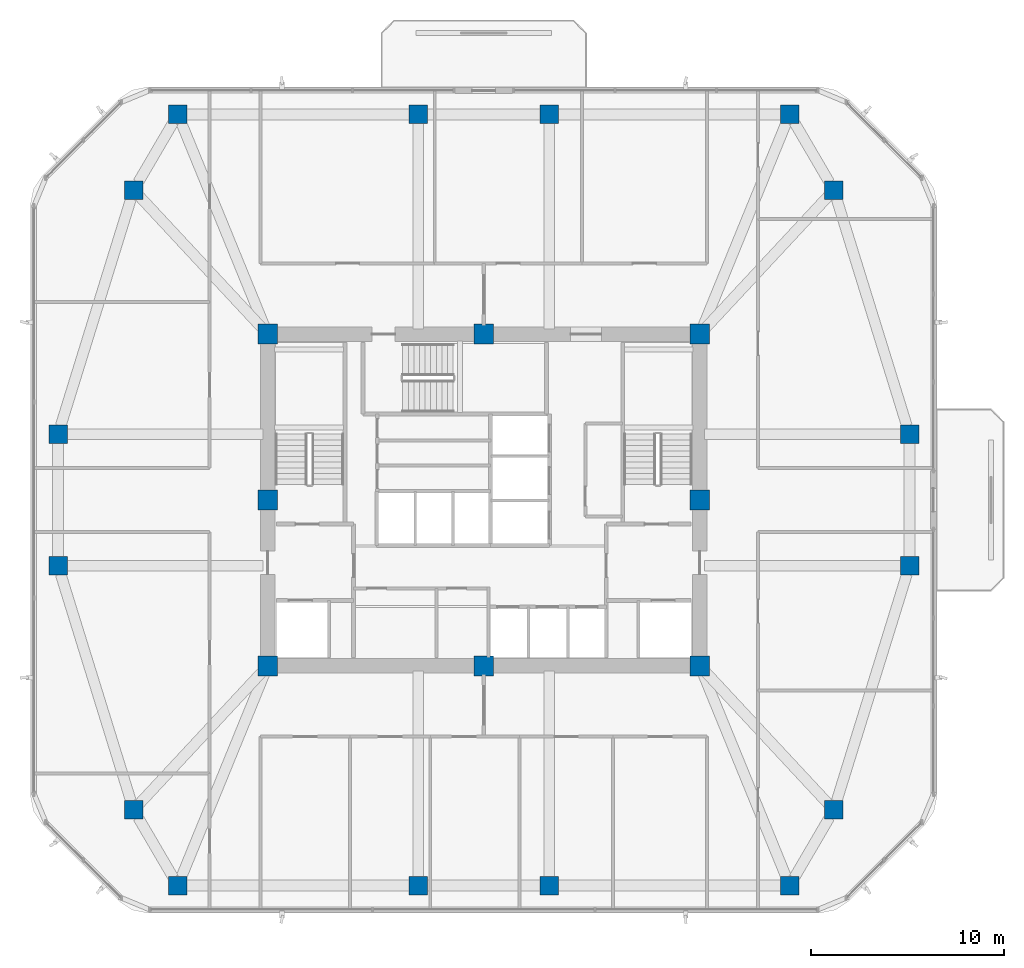
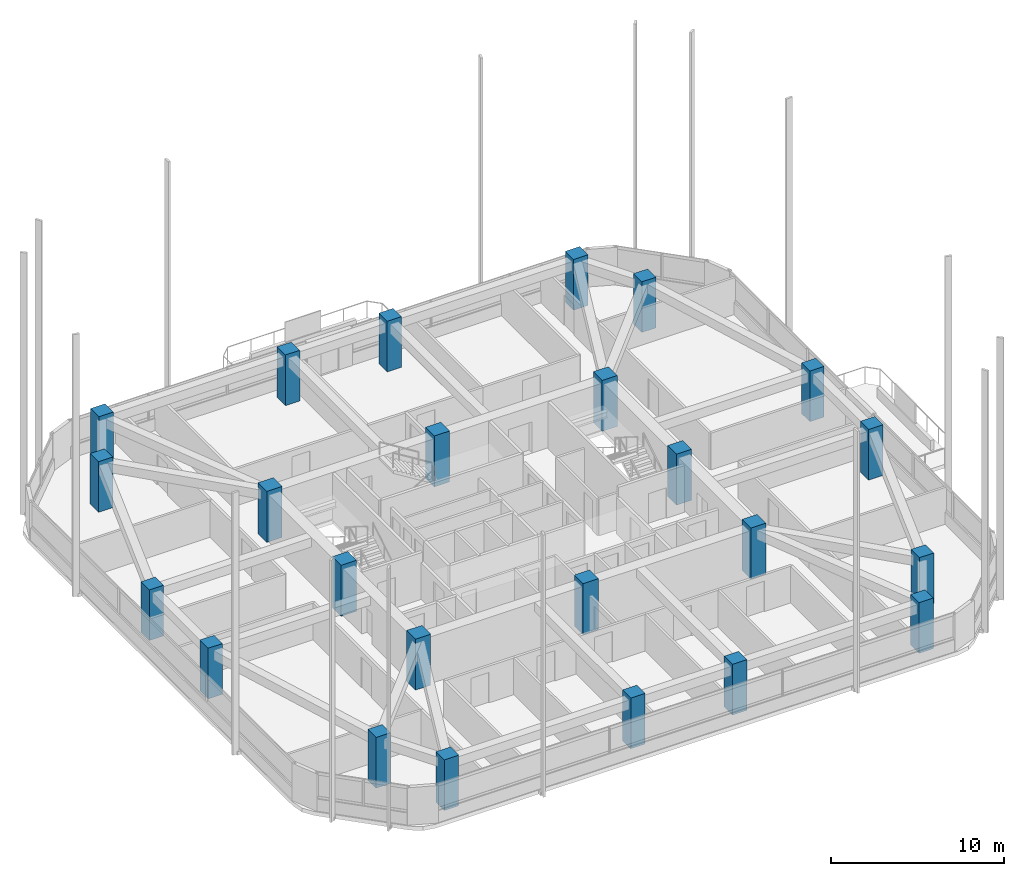
# One storey, part 1 of 14: 24 columns.
"""IFC4 building model written with IfcOpenShell, lengths in metres."""

from ifc_helpers import new_model, si_unit, derived_unit, direction, frame, origin, origin_2d, place, context, subcontext, project, spatial, rectangle, extrude, material, material_profile, profile_set, type_object, element, save


model = new_model("IFC4")

# Units and contexts
model_context = context("Model", 3, precision=1e-05, world=origin(), true_north=direction((0.0, 1.0)))
body_context = subcontext(model_context, "Body", "Model", "MODEL_VIEW")
ifc_project = project(units=[si_unit("LENGTHUNIT", "METRE"), si_unit("AREAUNIT", "SQUARE_METRE"), si_unit("VOLUMEUNIT", "CUBIC_METRE"), si_unit("PLANEANGLEUNIT", "RADIAN"), si_unit("MASSUNIT", "GRAM", prefix="KILO"), derived_unit("THERMALTRANSMITTANCEUNIT", [(si_unit("POWERUNIT", "WATT"), 1), (si_unit("LENGTHUNIT", "METRE"), -2), (si_unit("THERMODYNAMICTEMPERATUREUNIT", "KELVIN"), -1)])], contexts=[model_context])

# Site, building, storey
site_placement = place(None, origin())
site = spatial("IfcSite", under=ifc_project, at=site_placement, CompositionType="ELEMENT")
building_placement = place(site_placement, origin())
building = spatial("IfcBuilding", under=site, at=building_placement, Name="Koralith Skygarden Medical Center", CompositionType="ELEMENT")
storey_placement = place(building_placement, frame((0.0, 0.0, 174.419921875)))
storey = spatial("IfcBuildingStorey", under=building, at=storey_placement, Name="L45", CompositionType="ELEMENT", Elevation=174.419921875)

# Columns
ifc_material_1 = material(Name="Concrete C70/85", Category="concrete")
ifc_material_profile_1 = material_profile(ifc_material_1, rectangle(XDim=1.02001953125, YDim=1.02001953125, at=origin_2d()), Name="RC1020X1020")
ifc_profile_set_1 = profile_set([ifc_material_profile_1], Name="Concrete C70/85")
column_type_1 = type_object("IfcColumnType", Name="Core Mega-Column C70 RC1020", PredefinedType="COLUMN", material=ifc_profile_set_1)
for number, where, z_axis, x_axis, name in (
    (1, (25.800048828125, 17.300048828125, 0.0), (0.0, 0.0, 1.0), (1.0, 0.0, 0.0), "L45 Core Column CC-01"),
    (2, (37.0, 17.300048828125, 0.0), (0.0, 0.0, 1.0), (1.0, 0.0, 0.0), "L45 Core Column CC-02"),
    (3, (48.199951171875, 17.300048828125, 0.0), (0.0, 0.0, 1.0), (1.0, 0.0, 0.0), "L45 Core Column CC-03"),
    (4, (48.199951171875, 25.89990234375, 0.0), (0.0, 0.0, 1.0), (1.0, 0.0, 0.0), "L45 Core Column CC-04"),
    (5, (48.199951171875, 34.5, 0.0), (0.0, 0.0, 1.0), (1.0, 0.0, 0.0), "L45 Core Column CC-05"),
    (6, (37.0, 34.5, 0.0), (0.0, 0.0, 1.0), (1.0, 0.0, 0.0), "L45 Core Column CC-06"),
    (7, (25.800048828125, 34.5, 0.0), (0.0, 0.0, 1.0), (1.0, 0.0, 0.0), "L45 Core Column CC-07"),
    (8, (25.800048828125, 25.89990234375, 0.0), (0.0, 0.0, 1.0), (1.0, 0.0, 0.0), "L45 Core Column CC-08"),
):
    element("IfcColumn", number, at=place(storey_placement, frame(where, z_axis=z_axis, x_axis=x_axis)), inside=storey, type_object=column_type_1, Name=name, PredefinedType="COLUMN", context=body_context, shape_type="SweptSolid", body=[
        extrude(rectangle(XDim=1.02001953125, YDim=1.02001953125, at=origin_2d()), origin(), (0.0, 0.0, 1.0), 3.60009765625),
    ])
ifc_material_2 = material(Name="Concrete C55/67", Category="concrete")
ifc_material_profile_2 = material_profile(ifc_material_2, rectangle(XDim=0.9599609375, YDim=0.9599609375, at=origin_2d()), Name="RC960X960")
ifc_profile_set_2 = profile_set([ifc_material_profile_2], Name="Concrete C55/67")
column_type_2 = type_object("IfcColumnType", Name="Zone 3 Waist Mega-Column C55 RC960", PredefinedType="COLUMN", material=ifc_profile_set_2)
column_1_placement = place(storey_placement, frame((14.93603515625, 22.5, 0.0), z_axis=(0.0, 0.0, 1.0), x_axis=(1.0, 0.0, 0.0)))
element("IfcColumn", 9, at=column_1_placement, inside=storey, type_object=column_type_2, Name="L45 Perimeter Mega-Column MC-01", PredefinedType="COLUMN", context=body_context, shape_type="SweptSolid", body=[
    extrude(rectangle(XDim=0.9599609375, YDim=0.9599609375, at=origin_2d()), origin(), (0.0, 0.0, 1.0), 3.5791015625),
])
for number, where, z_axis, x_axis, name in (
    (10, (18.85595703125, 9.840087890625, 0.0), (0.0, 0.0, 1.0), (1.0, 0.0, 0.0), "L45 Perimeter Mega-Column MC-02"),
    (11, (21.14794921875, 5.919921875, 0.0), (0.0, 0.0, 1.0), (1.0, 0.0, 0.0), "L45 Perimeter Mega-Column MC-03"),
):
    element("IfcColumn", number, at=place(storey_placement, frame(where, z_axis=z_axis, x_axis=x_axis)), inside=storey, type_object=column_type_2, Name=name, PredefinedType="COLUMN", context=body_context, shape_type="SweptSolid", body=[
        extrude(rectangle(XDim=0.9599609375, YDim=0.9599609375, at=origin_2d()), origin(), (0.0, 0.0, 1.0), 3.578125),
    ])
for number, where, z_axis, x_axis, name in (
    (12, (33.60009765625, 5.919921875, 0.0), (0.0, 0.0, 1.0), (1.0, 0.0, 0.0), "L45 Perimeter Mega-Column MC-04"),
    (13, (40.39990234375, 5.919921875, 0.0), (0.0, 0.0, 1.0), (1.0, 0.0, 0.0), "L45 Perimeter Mega-Column MC-05"),
):
    element("IfcColumn", number, at=place(storey_placement, frame(where, z_axis=z_axis, x_axis=x_axis)), inside=storey, type_object=column_type_2, Name=name, PredefinedType="COLUMN", context=body_context, shape_type="SweptSolid", body=[
        extrude(rectangle(XDim=0.9599609375, YDim=0.9599609375, at=origin_2d()), origin(), (0.0, 0.0, 1.0), 3.5791015625),
    ])
for number, where, z_axis, x_axis, name in (
    (14, (52.85205078125, 5.919921875, 0.0), (0.0, 0.0, 1.0), (1.0, 0.0, 0.0), "L45 Perimeter Mega-Column MC-06"),
    (15, (55.14404296875, 9.840087890625, 0.0), (0.0, 0.0, 1.0), (1.0, 0.0, 0.0), "L45 Perimeter Mega-Column MC-07"),
):
    element("IfcColumn", number, at=place(storey_placement, frame(where, z_axis=z_axis, x_axis=x_axis)), inside=storey, type_object=column_type_2, Name=name, PredefinedType="COLUMN", context=body_context, shape_type="SweptSolid", body=[
        extrude(rectangle(XDim=0.9599609375, YDim=0.9599609375, at=origin_2d()), origin(), (0.0, 0.0, 1.0), 3.578125),
    ])
for number, where, z_axis, x_axis, name in (
    (16, (59.06396484375, 22.5, 0.0), (0.0, 0.0, 1.0), (1.0, 0.0, 0.0), "L45 Perimeter Mega-Column MC-08"),
    (17, (59.06396484375, 29.300048828125, 0.0), (0.0, 0.0, 1.0), (1.0, 0.0, 0.0), "L45 Perimeter Mega-Column MC-09"),
):
    element("IfcColumn", number, at=place(storey_placement, frame(where, z_axis=z_axis, x_axis=x_axis)), inside=storey, type_object=column_type_2, Name=name, PredefinedType="COLUMN", context=body_context, shape_type="SweptSolid", body=[
        extrude(rectangle(XDim=0.9599609375, YDim=0.9599609375, at=origin_2d()), origin(), (0.0, 0.0, 1.0), 3.5791015625),
    ])
for number, where, z_axis, x_axis, name in (
    (18, (55.14404296875, 41.9599609375, 0.0), (0.0, 0.0, 1.0), (1.0, 0.0, 0.0), "L45 Perimeter Mega-Column MC-10"),
    (19, (52.85205078125, 45.8798828125, 0.0), (0.0, 0.0, 1.0), (1.0, 0.0, 0.0), "L45 Perimeter Mega-Column MC-11"),
):
    element("IfcColumn", number, at=place(storey_placement, frame(where, z_axis=z_axis, x_axis=x_axis)), inside=storey, type_object=column_type_2, Name=name, PredefinedType="COLUMN", context=body_context, shape_type="SweptSolid", body=[
        extrude(rectangle(XDim=0.9599609375, YDim=0.9599609375, at=origin_2d()), origin(), (0.0, 0.0, 1.0), 3.578125),
    ])
for number, where, z_axis, x_axis, name in (
    (20, (40.39990234375, 45.8798828125, 0.0), (0.0, 0.0, 1.0), (1.0, 0.0, 0.0), "L45 Perimeter Mega-Column MC-12"),
    (21, (33.60009765625, 45.8798828125, 0.0), (0.0, 0.0, 1.0), (1.0, 0.0, 0.0), "L45 Perimeter Mega-Column MC-13"),
):
    element("IfcColumn", number, at=place(storey_placement, frame(where, z_axis=z_axis, x_axis=x_axis)), inside=storey, type_object=column_type_2, Name=name, PredefinedType="COLUMN", context=body_context, shape_type="SweptSolid", body=[
        extrude(rectangle(XDim=0.9599609375, YDim=0.9599609375, at=origin_2d()), origin(), (0.0, 0.0, 1.0), 3.5791015625),
    ])
for number, where, z_axis, x_axis, name in (
    (22, (21.14794921875, 45.8798828125, 0.0), (0.0, 0.0, 1.0), (1.0, 0.0, 0.0), "L45 Perimeter Mega-Column MC-14"),
    (23, (18.85595703125, 41.9599609375, 0.0), (0.0, 0.0, 1.0), (1.0, 0.0, 0.0), "L45 Perimeter Mega-Column MC-15"),
):
    element("IfcColumn", number, at=place(storey_placement, frame(where, z_axis=z_axis, x_axis=x_axis)), inside=storey, type_object=column_type_2, Name=name, PredefinedType="COLUMN", context=body_context, shape_type="SweptSolid", body=[
        extrude(rectangle(XDim=0.9599609375, YDim=0.9599609375, at=origin_2d()), origin(), (0.0, 0.0, 1.0), 3.578125),
    ])
column_2_placement = place(storey_placement, frame((14.93603515625, 29.300048828125, 0.0), z_axis=(0.0, 0.0, 1.0), x_axis=(1.0, 0.0, 0.0)))
element("IfcColumn", 24, at=column_2_placement, inside=storey, type_object=column_type_2, Name="L45 Perimeter Mega-Column MC-16", PredefinedType="COLUMN", context=body_context, shape_type="SweptSolid", body=[
    extrude(rectangle(XDim=0.9599609375, YDim=0.9599609375, at=origin_2d()), origin(), (0.0, 0.0, 1.0), 3.5791015625),
])

save(model, "model.ifc")
